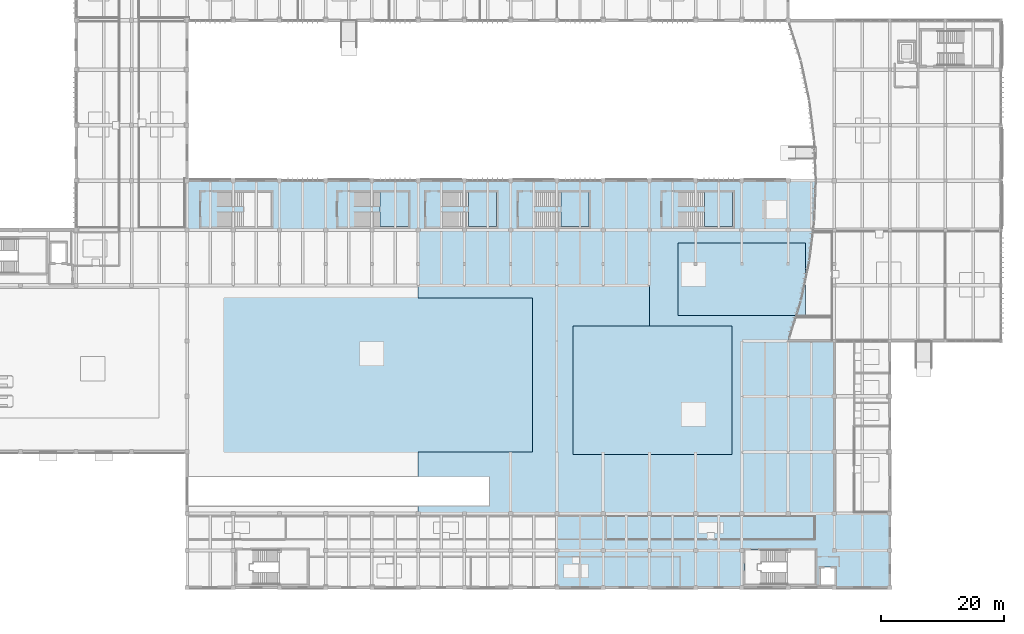
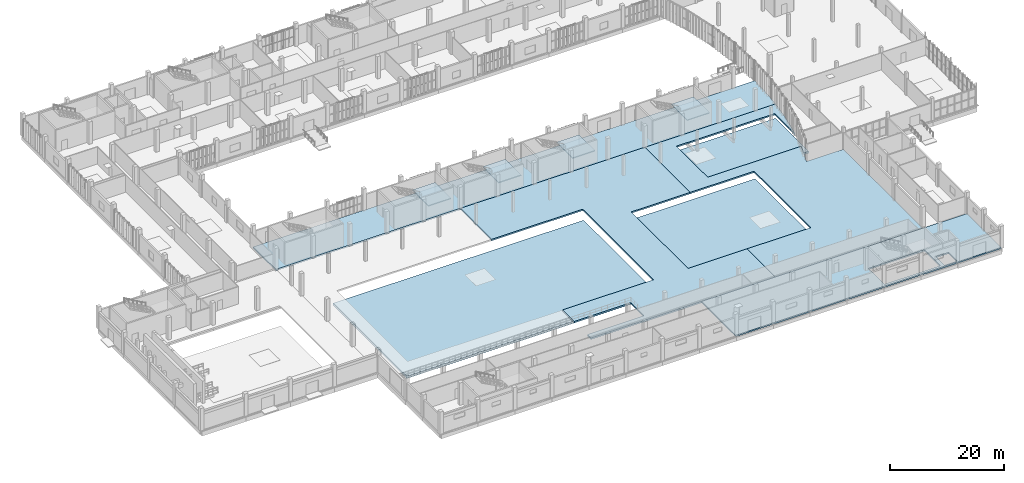
# One storey, part 35 of 72: 11 slabs, 4 elements without a shape of their own.
"""IFC4 building model written with IfcOpenShell, lengths in metres."""

from ifc_helpers import new_model, si_unit, direction, frame, origin, place, context, subcontext, project, spatial, polyline, outline, extrude, material, layer, layer_set, type_object, element, aggregate, save


model = new_model("IFC4")

# Units and contexts
model_context = context("Model", 3, precision=1e-05, world=origin(), true_north=direction((0.0, 1.0)))
body_context = subcontext(model_context, "Body", "Model", "MODEL_VIEW")
ifc_project = project(units=[si_unit("LENGTHUNIT", "METRE"), si_unit("AREAUNIT", "SQUARE_METRE"), si_unit("VOLUMEUNIT", "CUBIC_METRE"), si_unit("PLANEANGLEUNIT", "RADIAN"), si_unit("MASSUNIT", "GRAM", prefix="KILO")], contexts=[model_context])

# Site, building, storey
site_placement = place(None, origin())
site = spatial("IfcSite", under=ifc_project, at=site_placement, CompositionType="ELEMENT")
building_placement = place(site_placement, origin())
building = spatial("IfcBuilding", under=site, at=building_placement, Name="Vourika Railside Aquatics Centre", CompositionType="ELEMENT")
storey_placement = place(building_placement, origin())
storey = spatial("IfcBuildingStorey", under=building, at=storey_placement, Name="L00", CompositionType="ELEMENT", Elevation=0.0)

# Slabs
ifc_material_1 = material(Name="Concrete C40/50", Category="concrete")
ifc_layer_1 = layer(ifc_material_1, 0.320068359375, Name="SLB-CONC-320")
ifc_layer_set_1 = layer_set([ifc_layer_1], Name="Concrete C40/50")
slab_type_1 = type_object("IfcSlabType", Name="SLB-CONC-320", PredefinedType="FLOOR", material=ifc_layer_set_1)
slab_1_placement = place(storey_placement, frame((0.0, 0.0, -0.320068359375)))
element("IfcSlab", 1, at=slab_1_placement, inside=storey, type_object=slab_type_1, Name="L00 Floor Slab (v1_comp_e)", PredefinedType="FLOOR", context=body_context, shape_type="SweptSolid", body=[
    extrude(outline(polyline([(111.0, 12.0), (73.5, 12.0), (73.5, 13.300048828125), (85.0, 13.300048828125), (85.0, 17.89990234375), (73.5, 17.89990234375), (73.5, 22.0), (92.02001953125, 22.0), (92.02001953125, 47.0), (73.5, 47.0), (73.5, 58.0), (111.0, 58.0), (111.0, 42.0), (99.0, 42.0), (99.0, 22.0), (111.0, 22.0), (111.0, 12.0)])), origin(), (0.0, 0.0, 1.0), 0.320068359375),
])
slab_2_placement = place(storey_placement, frame((0.0, 0.0, -0.320068359375)))
element("IfcSlab", 2, at=slab_2_placement, inside=storey, type_object=slab_type_1, Name="L00 Floor Slab (v1_leis)", PredefinedType="FLOOR", context=body_context, shape_type="SweptSolid", body=[
    extrude(outline(polyline([(111.0, 12.0), (111.0, 22.0), (124.0, 22.0), (124.0, 42.0), (111.0, 42.0), (111.0, 58.0), (137.578125, 58.0), (137.401123046875, 56.251220703125), (136.93505859375, 53.001708984375), (136.3232421875, 49.752197265625), (136.0, 48.382568359375), (136.0, 55.5), (116.0, 55.5), (116.0, 44.5), (134.978515625, 44.5), (134.618408203125, 43.2529296875), (133.490478515625, 40.00341796875), (133.490234375, 40.002197265625), (133.489990234375, 40.001220703125), (133.489990234375, 40.000244140625), (133.489990234375, 39.999267578125), (133.489990234375, 39.998291015625), (133.490478515625, 39.997314453125), (133.49072265625, 39.996337890625), (133.4912109375, 39.99560546875), (133.49169921875, 39.99462890625), (133.4921875, 39.993896484375), (133.492919921875, 39.992919921875), (133.493408203125, 39.992431640625), (133.494384765625, 39.99169921875), (133.4951171875, 39.9912109375), (133.49609375, 39.99072265625), (133.4970703125, 39.990478515625), (133.498046875, 39.990234375), (133.4990234375, 39.989990234375), (133.5, 39.989990234375), (141.0, 39.989990234375), (141.0, 12.0), (111.0, 12.0)])), origin(), (0.0, 0.0, 1.0), 0.320068359375),
])
slab_3_placement = place(storey_placement, frame((0.0, 0.0, -0.320068359375)))
element("IfcSlab", 3, at=slab_3_placement, inside=storey, type_object=slab_type_1, Name="L00 Floor Slab (v1_north)", PredefinedType="FLOOR", context=body_context, shape_type="SweptSolid", body=[
    extrude(outline(polyline([(36.0, 66.0), (137.989990234375, 66.0), (137.925048828125, 62.75048828125), (137.72998046875, 59.500732421875), (137.578125, 58.0), (36.0, 58.0), (36.0, 66.0)])), origin(), (0.0, 0.0, 1.0), 0.320068359375),
])
ifc_material_2 = material(Name="Concrete C35/45", Category="concrete")
ifc_layer_2 = layer(ifc_material_2, 0.300048828125, Name="SLB-FLOOR-300")
ifc_layer_set_2 = layer_set([ifc_layer_2], Name="Concrete C35/45")
slab_type_2 = type_object("IfcSlabType", Name="SLB-FLOOR-300", PredefinedType="FLOOR", material=ifc_layer_set_2)
slab_4_placement = place(storey_placement, frame((0.0, 0.0, -0.300048828125)))
element("IfcSlab", 4, at=slab_4_placement, inside=storey, type_object=slab_type_2, Name="L00 Floor Slab (v4_south_e)", PredefinedType="FLOOR", context=body_context, shape_type="SweptSolid", body=[
    extrude(outline(polyline([(96.0, 0.0), (96.0, 12.0), (150.0, 12.0), (150.0, 0.0), (96.0, 0.0)]), holes=[polyline([(138.60009765625, 3.300048828125), (138.60009765625, 0.300048828125), (141.199951171875, 0.300048828125), (141.199951171875, 3.300048828125), (138.60009765625, 3.300048828125)]), polyline([(137.89990234375, 6.10009765625), (126.5, 6.10009765625), (126.5, 0.5), (137.89990234375, 0.5), (137.89990234375, 6.10009765625)])]), origin(), (0.0, 0.0, 1.0), 0.300048828125),
])

# Stair, slab
stair_type = type_object("IfcStairType", Name="STR-VOM-L00", PredefinedType="TWO_STRAIGHT_RUN_STAIR", material=ifc_material_2)
stair_1_placement = place(storey_placement, origin())
stair_1 = element("IfcStair", 5, at=stair_1_placement, inside=storey, type_object=stair_type, Name="Grandstand Vomitory Exit Stair ST08", PredefinedType="TWO_STRAIGHT_RUN_STAIR")
ifc_layer_3 = layer(ifc_material_2, 0.199951171875, Name="SLB-LND-200")
ifc_layer_set_3 = layer_set([ifc_layer_3], Name="Concrete C35/45")
slab_type_3 = type_object("IfcSlabType", Name="SLB-LND-200", PredefinedType="LANDING", material=ifc_layer_set_3)
slab_5_placement = place(storey_placement, frame((0.0, 0.0, 2.199951171875)))
slab_5 = element("IfcSlab", 6, at=slab_5_placement, type_object=slab_type_3, Name="STV-1 landing 1", PredefinedType="LANDING", context=body_context, shape_type="SweptSolid", body=[
    extrude(outline(polyline([(67.320068359375, 58.550048828125), (71.89990234375, 58.550048828125), (71.89990234375, 64.14990234375), (67.320068359375, 64.14990234375), (67.320068359375, 58.550048828125)])), origin(), (0.0, 0.0, 1.0), 0.199951171875),
])
aggregate(stair_1, [slab_5])

stair_2_placement = place(storey_placement, origin())
stair_2 = element("IfcStair", 7, at=stair_2_placement, inside=storey, type_object=stair_type, Name="Grandstand Vomitory Exit Stair ST09", PredefinedType="TWO_STRAIGHT_RUN_STAIR")
slab_6_placement = place(storey_placement, frame((0.0, 0.0, 2.199951171875)))
slab_6 = element("IfcSlab", 8, at=slab_6_placement, type_object=slab_type_3, Name="STV-1 landing 1", PredefinedType="LANDING", context=body_context, shape_type="SweptSolid", body=[
    extrude(outline(polyline([(96.6201171875, 58.550048828125), (101.199951171875, 58.550048828125), (101.199951171875, 64.14990234375), (96.6201171875, 64.14990234375), (96.6201171875, 58.550048828125)])), origin(), (0.0, 0.0, 1.0), 0.199951171875),
])
aggregate(stair_2, [slab_6])

stair_3_placement = place(storey_placement, origin())
stair_3 = element("IfcStair", 9, at=stair_3_placement, inside=storey, type_object=stair_type, Name="Grandstand Vomitory Exit Stair ST10", PredefinedType="TWO_STRAIGHT_RUN_STAIR")
slab_7_placement = place(storey_placement, frame((0.0, 0.0, 2.199951171875)))
slab_7 = element("IfcSlab", 10, at=slab_7_placement, type_object=slab_type_3, Name="STV-1 landing 1", PredefinedType="LANDING", context=body_context, shape_type="SweptSolid", body=[
    extrude(outline(polyline([(119.919921875, 58.550048828125), (124.5, 58.550048828125), (124.5, 64.14990234375), (119.919921875, 64.14990234375), (119.919921875, 58.550048828125)])), origin(), (0.0, 0.0, 1.0), 0.199951171875),
])
aggregate(stair_3, [slab_7])

stair_4_placement = place(storey_placement, origin())
stair_4 = element("IfcStair", 11, at=stair_4_placement, inside=storey, type_object=stair_type, Name="Grandstand Vomitory Exit Stair ST12", PredefinedType="TWO_STRAIGHT_RUN_STAIR")
slab_8_placement = place(storey_placement, frame((0.0, 0.0, 2.199951171875)))
slab_8 = element("IfcSlab", 12, at=slab_8_placement, type_object=slab_type_3, Name="STV-1 landing 1", PredefinedType="LANDING", context=body_context, shape_type="SweptSolid", body=[
    extrude(outline(polyline([(81.6201171875, 58.550048828125), (86.199951171875, 58.550048828125), (86.199951171875, 64.14990234375), (81.6201171875, 64.14990234375), (81.6201171875, 58.550048828125)])), origin(), (0.0, 0.0, 1.0), 0.199951171875),
])
aggregate(stair_4, [slab_8])

# Slabs
ifc_layer_4 = layer(ifc_material_1, 0.3798828125, Name="SLB-POOL-380")
ifc_layer_set_4 = layer_set([ifc_layer_4], Name="Concrete C40/50")
slab_type_4 = type_object("IfcSlabType", Name="SLB-POOL-380", PredefinedType="FLOOR", material=ifc_layer_set_4)
slab_9_placement = place(storey_placement, frame((0.0, 0.0, -1.72998046875)))
element("IfcSlab", 13, at=slab_9_placement, inside=storey, type_object=slab_type_4, Name="Leisure Swim Lagoon Pool Tank Slab", PredefinedType="FLOOR", context=body_context, shape_type="SweptSolid", body=[
    extrude(outline(polyline([(115.64990234375, 44.14990234375), (136.35009765625, 44.14990234375), (136.35009765625, 55.85009765625), (115.64990234375, 55.85009765625), (115.64990234375, 44.14990234375)])), origin(), (0.0, 0.0, 1.0), 0.3798828125),
])
ifc_layer_5 = layer(ifc_material_1, 0.43994140625, Name="SLB-POOL-440")
ifc_layer_set_5 = layer_set([ifc_layer_5], Name="Concrete C40/50")
slab_type_5 = type_object("IfcSlabType", Name="SLB-POOL-440", PredefinedType="FLOOR", material=ifc_layer_set_5)
slab_10_placement = place(storey_placement, frame((0.0, 0.0, -2.43994140625)))
element("IfcSlab", 14, at=slab_10_placement, inside=storey, type_object=slab_type_5, Name="Training Pool Tank Slab", PredefinedType="FLOOR", context=body_context, shape_type="SweptSolid", body=[
    extrude(outline(polyline([(98.60009765625, 21.60009765625), (124.39990234375, 21.60009765625), (124.39990234375, 42.39990234375), (98.60009765625, 42.39990234375), (98.60009765625, 21.60009765625)])), origin(), (0.0, 0.0, 1.0), 0.43994140625),
])
ifc_layer_6 = layer(ifc_material_1, 0.5, Name="SLB-POOL-500")
ifc_layer_set_6 = layer_set([ifc_layer_6], Name="Concrete C40/50")
slab_type_6 = type_object("IfcSlabType", Name="SLB-POOL-500", PredefinedType="FLOOR", material=ifc_layer_set_6)
slab_11_placement = place(storey_placement, frame((0.0, 0.0, -3.300048828125)))
element("IfcSlab", 15, at=slab_11_placement, inside=storey, type_object=slab_type_6, Name="Competition Pool Tank Slab", PredefinedType="FLOOR", context=body_context, shape_type="SweptSolid", body=[
    extrude(outline(polyline([(41.550048828125, 21.550048828125), (92.469970703125, 21.550048828125), (92.469970703125, 47.449951171875), (41.550048828125, 47.449951171875), (41.550048828125, 21.550048828125)])), origin(), (0.0, 0.0, 1.0), 0.5),
])

save(model, "model.ifc")
